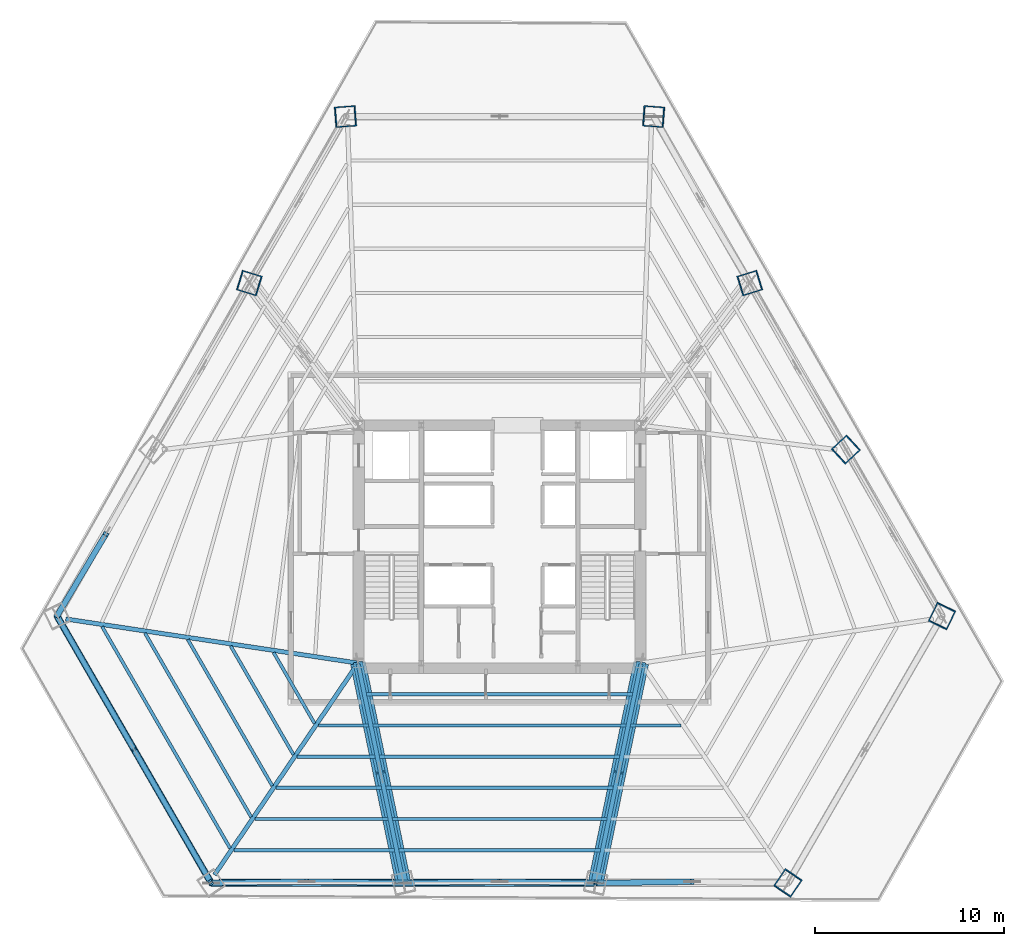
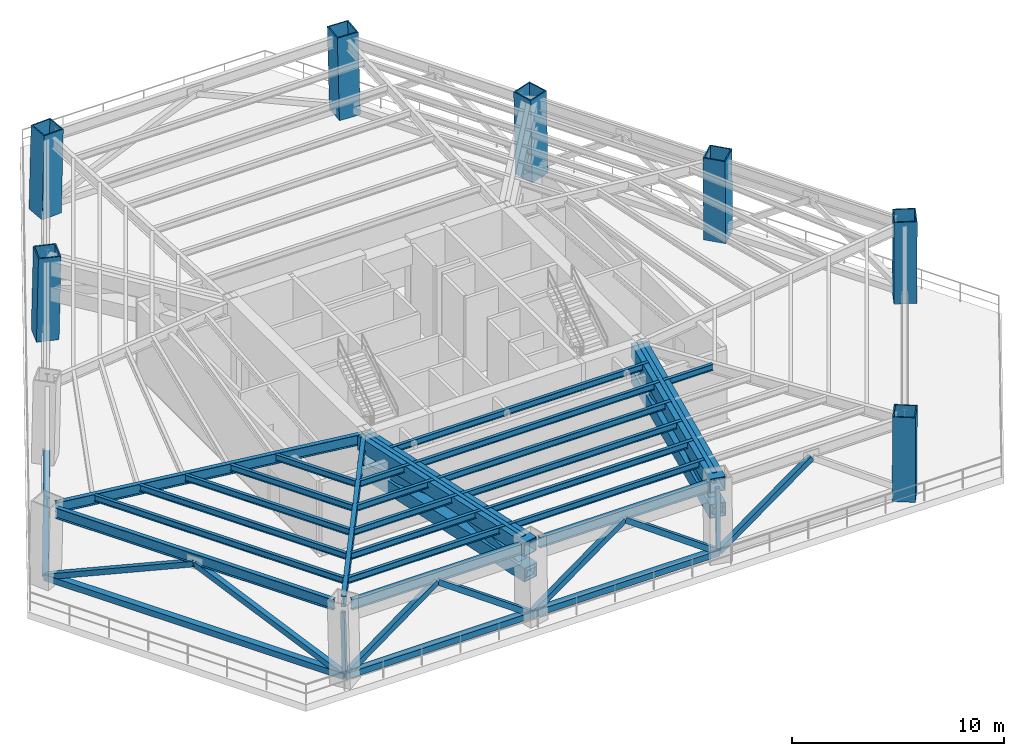
# One storey, part 3 of 13: 24 beams, 21 members, 7 columns.
"""IFC4 building model written with IfcOpenShell, lengths in metres."""

from ifc_helpers import new_model, si_unit, direction, frame, origin, origin_2d, place, context, subcontext, project, spatial, hollow_rectangle, i_section, extrude, source, transform, mapped, material, material_profile, profile_set, type_object, type_shapes, element, save


model = new_model("IFC4")

# Units and contexts
model_context = context("Model", 3, precision=1e-05, world=origin(), true_north=direction((0.0, 1.0)))
body_context = subcontext(model_context, "Body", "Model", "MODEL_VIEW")
ifc_project = project(units=[si_unit("LENGTHUNIT", "METRE"), si_unit("AREAUNIT", "SQUARE_METRE"), si_unit("VOLUMEUNIT", "CUBIC_METRE"), si_unit("PLANEANGLEUNIT", "RADIAN"), si_unit("MASSUNIT", "GRAM", prefix="KILO")], contexts=[model_context])

# Site, building, storey
site_placement = place(None, origin())
site = spatial("IfcSite", under=ifc_project, at=site_placement, CompositionType="ELEMENT")
building_placement = place(site_placement, origin())
building = spatial("IfcBuilding", under=site, at=building_placement, Name="Caelisora Broadcast Tower", CompositionType="ELEMENT")
storey_placement = place(building_placement, frame((0.0, 0.0, 75.050048828125)))
storey = spatial("IfcBuildingStorey", under=building, at=storey_placement, Name="L19", CompositionType="ELEMENT", Elevation=75.050048828125)

# Columns
ifc_material_1 = material(Name="Steel Grade 350 L15 (AS/NZS 3678)", Category="steel")
ifc_material_profile_1 = material_profile(ifc_material_1, hollow_rectangle(XDim=1.10009765625, YDim=1.10009765625, WallThickness=0.06005859375, at=origin_2d()), Name="Steel Grade 350 L15 (AS/NZS 3678)")
ifc_profile_set_1 = profile_set([ifc_material_profile_1], Name="Steel Grade 350 L15 (AS/NZS 3678)")
column_type = type_object("IfcColumnType", Name="MC03", PredefinedType="COLUMN", material=ifc_profile_set_1)
shared_shape_1 = source(origin(), body_context, "Body", "SweptSolid", [
    extrude(hollow_rectangle(XDim=1.10009765625, YDim=1.10009765625, WallThickness=0.06005859375, at=origin_2d()), origin(), (0.0, 0.0, 1.0), 4.801513671875),
])
for number, where, z_axis, x_axis, name in (
    (1, (46.177978515625, 46.35546875, 0.0), (-0.023847509135, 0.001779664861, 0.999714023659), (-0.074419924822, -0.99722699261, 0.0), "L19 column MC03"),
    (2, (29.822021484375, 46.35546875, 0.0), (0.023847509135, 0.001779664861, 0.999714023659), (-0.074419924822, 0.99722699261, 0.0), "L19 column MC03"),
    (3, (53.271484375, 5.739990234375, 0.0), (0.013474599104, 0.019779694533, 0.999713558407), (-0.826452018452, 0.563007159099, 0.0), "L19 column MC03"),
    (4, (61.449462890625, 19.904541015625, 0.0), (-0.01042374304, -0.021559351459, 0.999713228854), (0.900293483537, -0.435283405956, 0.0), "L19 column MC03"),
):
    element("IfcColumn", number, at=place(storey_placement, frame(where, z_axis=z_axis, x_axis=x_axis)), inside=storey, type_object=column_type, Name=name, PredefinedType="COLUMN", context=body_context, shape_type="MappedRepresentation", body=[
        mapped(shared_shape_1, transform((0.0, 0.0, 0.0), scale=1.0)),
    ])
shared_shape_2 = source(origin(), body_context, "Body", "SweptSolid", [
    extrude(hollow_rectangle(XDim=1.10009765625, YDim=1.10009765625, WallThickness=0.06005859375, at=origin_2d()), origin(), (0.0, 0.0, 1.0), 4.801025390625),
])
type_shapes(column_type, [shared_shape_1, shared_shape_2])
for number, where, z_axis, x_axis, name in (
    (5, (24.7314453125, 37.53857421875, 0.0), (0.019425311137, -0.00600048878, 0.999793304349), (0.295140224918, 0.955453948464, 0.0), "L19 column MC03"),
    (6, (56.35888671875, 28.7216796875, 0.0), (-0.014899529501, -0.013780793498, 0.999794025663), (0.679008224545, -0.734130663438, 0.0), "L19 column MC03"),
    (7, (51.2685546875, 37.53857421875, 0.0), (-0.019425311137, -0.00600048878, 0.999793304349), (0.295140224918, -0.955453948464, 0.0), "L19 column MC03"),
):
    element("IfcColumn", number, at=place(storey_placement, frame(where, z_axis=z_axis, x_axis=x_axis)), inside=storey, type_object=column_type, Name=name, PredefinedType="COLUMN", context=body_context, shape_type="MappedRepresentation", body=[
        mapped(shared_shape_2, transform((0.0, 0.0, 0.0), scale=1.0)),
    ])

# Beams
ifc_material_2 = material(Name="Steel Grade 350 (AS/NZS 3679.1)", Category="steel")
ifc_material_profile_2 = material_profile(ifc_material_2, i_section(OverallWidth=0.22900390625, OverallDepth=0.611572265625, WebThickness=0.011962890625, FlangeThickness=0.01953125, at=origin_2d()), Name="Steel Grade 350 (AS/NZS 3679.1)")
ifc_profile_set_2 = profile_set([ifc_material_profile_2], Name="Steel Grade 350 (AS/NZS 3679.1)")
beam_type_1 = type_object("IfcBeamType", Name="PG03", PredefinedType="BEAM", material=ifc_profile_set_2)
shared_shape_3 = source(origin(), body_context, "Body", "SweptSolid", [
    extrude(i_section(OverallWidth=0.22900390625, OverallDepth=0.611572265625, WebThickness=0.011962890625, FlangeThickness=0.01953125, at=origin_2d()), origin(), (0.0, 0.0, 1.0), 9.30419921875),
])
for number, where, z_axis, x_axis, name in (
    (8, (23.123779296875, 5.8349609375, 4.244140625), (1.0, 0.0, 0.0), (0.0, 1.0, 0.0), "L19 beam PG03"),
    (9, (33.347900390625, 5.8349609375, 4.244140625), (1.0, 0.0, 0.0), (0.0, 1.0, 0.0), "L19 beam PG03"),
):
    element("IfcBeam", number, at=place(storey_placement, frame(where, z_axis=z_axis, x_axis=x_axis)), inside=storey, type_object=beam_type_1, Name=name, PredefinedType="BEAM", context=body_context, shape_type="MappedRepresentation", body=[
        mapped(shared_shape_3, transform((0.0, 0.0, 0.0), scale=1.0)),
    ])
shared_shape_4 = source(origin(), body_context, "Body", "SweptSolid", [
    extrude(i_section(OverallWidth=0.22900390625, OverallDepth=0.611572265625, WebThickness=0.011962890625, FlangeThickness=0.01953125, at=origin_2d()), origin(), (0.0, 0.0, 1.0), 15.20654296875),
])
type_shapes(beam_type_1, [shared_shape_3, shared_shape_4])
beam_1_placement = place(storey_placement, frame((14.83056640625, 19.402587890625, 4.244140625), z_axis=(0.50000179571, -0.866024367029, 0.0), x_axis=(0.866024367029, 0.50000179571, 0.0)))
element("IfcBeam", 10, at=beam_1_placement, inside=storey, type_object=beam_type_1, Name="L19 beam PG03", PredefinedType="BEAM", context=body_context, shape_type="MappedRepresentation", body=[
    mapped(shared_shape_4, transform((0.0, 0.0, 0.0), scale=1.0)),
])
ifc_material_profile_3 = material_profile(ifc_material_2, i_section(OverallWidth=0.22802734375, OverallDepth=0.602294921875, WebThickness=0.010498046875, FlangeThickness=0.014892578125, at=origin_2d()), Name="Steel Grade 350 (AS/NZS 3679.1)")
ifc_profile_set_3 = profile_set([ifc_material_profile_3], Name="Steel Grade 350 (AS/NZS 3679.1)")
beam_type_2 = type_object("IfcBeamType", Name="PG04", PredefinedType="BEAM", material=ifc_profile_set_3)
shared_shape_5 = source(origin(), body_context, "Body", "SweptSolid", [
    extrude(i_section(OverallWidth=0.22802734375, OverallDepth=0.602294921875, WebThickness=0.010498046875, FlangeThickness=0.014892578125, at=origin_2d()), origin(), (0.0, 0.0, 1.0), 15.599609375),
])
beam_2_placement = place(storey_placement, frame((30.440673828125, 17.408935546875, 4.248779296875), z_axis=(-0.988788930466, 0.149319961785, 0.0), x_axis=(-0.149319961785, -0.988788930466, 0.0)))
element("IfcBeam", 11, at=beam_2_placement, inside=storey, type_object=beam_type_2, Name="L19 beam PG04", PredefinedType="BEAM", context=body_context, shape_type="MappedRepresentation", body=[
    mapped(shared_shape_5, transform((0.0, 0.0, 0.0), scale=1.0)),
])
shared_shape_6 = source(origin(), body_context, "Body", "SweptSolid", [
    extrude(i_section(OverallWidth=0.22802734375, OverallDepth=0.602294921875, WebThickness=0.010498046875, FlangeThickness=0.014892578125, at=origin_2d()), origin(), (0.0, 0.0, 1.0), 13.48974609375),
])
beam_3_placement = place(storey_placement, frame((30.46630859375, 17.350341796875, 4.248779296875), z_axis=(-0.560932578548, -0.827861487402, 0.0), x_axis=(0.827861487402, -0.560932578548, 0.0)))
element("IfcBeam", 12, at=beam_3_placement, inside=storey, type_object=beam_type_2, Name="L19 beam PG04", PredefinedType="BEAM", context=body_context, shape_type="MappedRepresentation", body=[
    mapped(shared_shape_6, transform((0.0, 0.0, 0.0), scale=1.0)),
])
shared_shape_7 = source(origin(), body_context, "Body", "SweptSolid", [
    extrude(i_section(OverallWidth=0.22802734375, OverallDepth=0.602294921875, WebThickness=0.010498046875, FlangeThickness=0.014892578125, at=origin_2d()), origin(), (0.0, 0.0, 1.0), 11.329345703125),
])
type_shapes(beam_type_2, [shared_shape_5, shared_shape_6, shared_shape_7])
for number, where, z_axis, x_axis, name in (
    (13, (30.51220703125, 17.34130859375, 4.248779296875), (0.202200124468, -0.979344224298, 0.0), (0.979344224298, 0.202200124468, 0.0), "L19 beam PG04"),
    (14, (45.48779296875, 17.34130859375, 4.248779296875), (-0.202200124468, -0.979344224298, 0.0), (0.979344224298, -0.202200124468, 0.0), "L19 beam PG04"),
):
    element("IfcBeam", number, at=place(storey_placement, frame(where, z_axis=z_axis, x_axis=x_axis)), inside=storey, type_object=beam_type_2, Name=name, PredefinedType="BEAM", context=body_context, shape_type="MappedRepresentation", body=[
        mapped(shared_shape_7, transform((0.0, 0.0, 0.0), scale=1.0)),
    ])
ifc_material_profile_4 = material_profile(ifc_material_2, i_section(OverallWidth=0.172119140625, OverallDepth=0.358642578125, WebThickness=0.008056640625, FlangeThickness=0.012939453125, at=origin_2d()), Name="Steel Grade 350 (AS/NZS 3679.1)")
ifc_profile_set_4 = profile_set([ifc_material_profile_4], Name="Steel Grade 350 (AS/NZS 3679.1)")
beam_type_3 = type_object("IfcBeamType", Name="SB02", PredefinedType="JOIST", material=ifc_profile_set_4)
shared_shape_8 = source(origin(), body_context, "Body", "SweptSolid", [
    extrude(i_section(OverallWidth=0.172119140625, OverallDepth=0.358642578125, WebThickness=0.008056640625, FlangeThickness=0.012939453125, at=origin_2d()), origin(), (0.0, 0.0, 1.0), 4.341064453125),
])
beam_4_placement = place(storey_placement, frame((26.02880859375, 17.96240234375, 4.37060546875), z_axis=(0.499973983331, -0.866040423994, 0.0), x_axis=(0.866040423994, 0.499973983331, 0.0)))
element("IfcBeam", 15, at=beam_4_placement, inside=storey, type_object=beam_type_3, Name="L19 beam SB02", PredefinedType="JOIST", context=body_context, shape_type="MappedRepresentation", body=[
    mapped(shared_shape_8, transform((0.0, 0.0, 0.0), scale=1.0)),
])
shared_shape_9 = source(origin(), body_context, "Body", "SweptSolid", [
    extrude(i_section(OverallWidth=0.172119140625, OverallDepth=0.358642578125, WebThickness=0.008056640625, FlangeThickness=0.012939453125, at=origin_2d()), origin(), (0.0, 0.0, 1.0), 6.64501953125),
])
beam_5_placement = place(storey_placement, frame((23.75732421875, 18.305419921875, 4.37060546875), z_axis=(0.500007627538, -0.866020999978, 0.0), x_axis=(0.866020999978, 0.500007627538, 0.0)))
element("IfcBeam", 16, at=beam_5_placement, inside=storey, type_object=beam_type_3, Name="L19 beam SB02", PredefinedType="JOIST", context=body_context, shape_type="MappedRepresentation", body=[
    mapped(shared_shape_9, transform((0.0, 0.0, 0.0), scale=1.0)),
])
shared_shape_10 = source(origin(), body_context, "Body", "SweptSolid", [
    extrude(i_section(OverallWidth=0.172119140625, OverallDepth=0.358642578125, WebThickness=0.008056640625, FlangeThickness=0.012939453125, at=origin_2d()), origin(), (0.0, 0.0, 1.0), 8.948974609375),
])
beam_6_placement = place(storey_placement, frame((21.486083984375, 18.6484375, 4.37060546875), z_axis=(0.499991673361, -0.866030211118, 0.0), x_axis=(0.866030211118, 0.499991673361, 0.0)))
element("IfcBeam", 17, at=beam_6_placement, inside=storey, type_object=beam_type_3, Name="L19 beam SB02", PredefinedType="JOIST", context=body_context, shape_type="MappedRepresentation", body=[
    mapped(shared_shape_10, transform((0.0, 0.0, 0.0), scale=1.0)),
])
shared_shape_11 = source(origin(), body_context, "Body", "SweptSolid", [
    extrude(i_section(OverallWidth=0.172119140625, OverallDepth=0.358642578125, WebThickness=0.008056640625, FlangeThickness=0.012939453125, at=origin_2d()), origin(), (0.0, 0.0, 1.0), 11.252685546875),
])
beam_7_placement = place(storey_placement, frame((19.214599609375, 18.991455078125, 4.37060546875), z_axis=(0.499991646705, -0.866030226508, 0.0), x_axis=(0.866030226508, 0.499991646705, 0.0)))
element("IfcBeam", 18, at=beam_7_placement, inside=storey, type_object=beam_type_3, Name="L19 beam SB02", PredefinedType="JOIST", context=body_context, shape_type="MappedRepresentation", body=[
    mapped(shared_shape_11, transform((0.0, 0.0, 0.0), scale=1.0)),
])
shared_shape_12 = source(origin(), body_context, "Body", "SweptSolid", [
    extrude(i_section(OverallWidth=0.172119140625, OverallDepth=0.358642578125, WebThickness=0.008056640625, FlangeThickness=0.012939453125, at=origin_2d()), origin(), (0.0, 0.0, 1.0), 13.556396484375),
])
beam_8_placement = place(storey_placement, frame((16.943359375, 19.33447265625, 4.37060546875), z_axis=(0.499991629109, -0.866030236667, 0.0), x_axis=(0.866030236667, 0.499991629109, 0.0)))
element("IfcBeam", 19, at=beam_8_placement, inside=storey, type_object=beam_type_3, Name="L19 beam SB02", PredefinedType="JOIST", context=body_context, shape_type="MappedRepresentation", body=[
    mapped(shared_shape_12, transform((0.0, 0.0, 0.0), scale=1.0)),
])
shared_shape_13 = source(origin(), body_context, "Body", "SweptSolid", [
    extrude(i_section(OverallWidth=0.172119140625, OverallDepth=0.358642578125, WebThickness=0.008056640625, FlangeThickness=0.012939453125, at=origin_2d()), origin(), (0.0, 0.0, 1.0), 2.673095703125),
])
for number, where, z_axis, x_axis, name in (
    (20, (28.395751953125, 14.095703125, 4.37060546875), (1.0, 0.0, 0.0), (0.0, 1.0, 0.0), "L19 beam SB02"),
    (21, (44.93115234375, 14.095703125, 4.37060546875), (1.0, 0.0, 0.0), (0.0, 1.0, 0.0), "L19 beam SB02"),
):
    element("IfcBeam", number, at=place(storey_placement, frame(where, z_axis=z_axis, x_axis=x_axis)), inside=storey, type_object=beam_type_3, Name=name, PredefinedType="JOIST", context=body_context, shape_type="MappedRepresentation", body=[
        mapped(shared_shape_13, transform((0.0, 0.0, 0.0), scale=1.0)),
    ])
shared_shape_14 = source(origin(), body_context, "Body", "SweptSolid", [
    extrude(i_section(OverallWidth=0.172119140625, OverallDepth=0.358642578125, WebThickness=0.008056640625, FlangeThickness=0.012939453125, at=origin_2d()), origin(), (0.0, 0.0, 1.0), 4.133544921875),
])
beam_9_placement = place(storey_placement, frame((27.2763671875, 12.443603515625, 4.37060546875), z_axis=(1.0, 0.0, 0.0), x_axis=(0.0, 1.0, 0.0)))
element("IfcBeam", 22, at=beam_9_placement, inside=storey, type_object=beam_type_3, Name="L19 beam SB02", PredefinedType="JOIST", context=body_context, shape_type="MappedRepresentation", body=[
    mapped(shared_shape_14, transform((0.0, 0.0, 0.0), scale=1.0)),
])
shared_shape_15 = source(origin(), body_context, "Body", "SweptSolid", [
    extrude(i_section(OverallWidth=0.172119140625, OverallDepth=0.358642578125, WebThickness=0.008056640625, FlangeThickness=0.012939453125, at=origin_2d()), origin(), (0.0, 0.0, 1.0), 5.59423828125),
])
beam_10_placement = place(storey_placement, frame((26.156982421875, 10.79150390625, 4.37060546875), z_axis=(1.0, 0.0, 0.0), x_axis=(0.0, 1.0, 0.0)))
element("IfcBeam", 23, at=beam_10_placement, inside=storey, type_object=beam_type_3, Name="L19 beam SB02", PredefinedType="JOIST", context=body_context, shape_type="MappedRepresentation", body=[
    mapped(shared_shape_15, transform((0.0, 0.0, 0.0), scale=1.0)),
])
shared_shape_16 = source(origin(), body_context, "Body", "SweptSolid", [
    extrude(i_section(OverallWidth=0.172119140625, OverallDepth=0.358642578125, WebThickness=0.008056640625, FlangeThickness=0.012939453125, at=origin_2d()), origin(), (0.0, 0.0, 1.0), 7.0546875),
])
beam_11_placement = place(storey_placement, frame((25.03759765625, 9.13916015625, 4.37060546875), z_axis=(1.0, 0.0, 0.0), x_axis=(0.0, 1.0, 0.0)))
element("IfcBeam", 24, at=beam_11_placement, inside=storey, type_object=beam_type_3, Name="L19 beam SB02", PredefinedType="JOIST", context=body_context, shape_type="MappedRepresentation", body=[
    mapped(shared_shape_16, transform((0.0, 0.0, 0.0), scale=1.0)),
])
shared_shape_17 = source(origin(), body_context, "Body", "SweptSolid", [
    extrude(i_section(OverallWidth=0.172119140625, OverallDepth=0.358642578125, WebThickness=0.008056640625, FlangeThickness=0.012939453125, at=origin_2d()), origin(), (0.0, 0.0, 1.0), 8.515625),
])
beam_12_placement = place(storey_placement, frame((23.91796875, 7.487060546875, 4.37060546875), z_axis=(1.0, 0.0, 0.0), x_axis=(0.0, 1.0, 0.0)))
element("IfcBeam", 25, at=beam_12_placement, inside=storey, type_object=beam_type_3, Name="L19 beam SB02", PredefinedType="JOIST", context=body_context, shape_type="MappedRepresentation", body=[
    mapped(shared_shape_17, transform((0.0, 0.0, 0.0), scale=1.0)),
])
shared_shape_18 = source(origin(), body_context, "Body", "SweptSolid", [
    extrude(i_section(OverallWidth=0.172119140625, OverallDepth=0.358642578125, WebThickness=0.008056640625, FlangeThickness=0.012939453125, at=origin_2d()), origin(), (0.0, 0.0, 1.0), 14.0908203125),
])
beam_13_placement = place(storey_placement, frame((30.95458984375, 15.747802734375, 4.37060546875), z_axis=(1.0, 0.0, 0.0), x_axis=(0.0, 1.0, 0.0)))
element("IfcBeam", 26, at=beam_13_placement, inside=storey, type_object=beam_type_3, Name="L19 beam SB02", PredefinedType="JOIST", context=body_context, shape_type="MappedRepresentation", body=[
    mapped(shared_shape_18, transform((0.0, 0.0, 0.0), scale=1.0)),
])
shared_shape_19 = source(origin(), body_context, "Body", "SweptSolid", [
    extrude(i_section(OverallWidth=0.172119140625, OverallDepth=0.358642578125, WebThickness=0.008056640625, FlangeThickness=0.012939453125, at=origin_2d()), origin(), (0.0, 0.0, 1.0), 13.40869140625),
])
beam_14_placement = place(storey_placement, frame((31.295654296875, 14.095703125, 4.37060546875), z_axis=(1.0, 0.0, 0.0), x_axis=(0.0, 1.0, 0.0)))
element("IfcBeam", 27, at=beam_14_placement, inside=storey, type_object=beam_type_3, Name="L19 beam SB02", PredefinedType="JOIST", context=body_context, shape_type="MappedRepresentation", body=[
    mapped(shared_shape_19, transform((0.0, 0.0, 0.0), scale=1.0)),
])
shared_shape_20 = source(origin(), body_context, "Body", "SweptSolid", [
    extrude(i_section(OverallWidth=0.172119140625, OverallDepth=0.358642578125, WebThickness=0.008056640625, FlangeThickness=0.012939453125, at=origin_2d()), origin(), (0.0, 0.0, 1.0), 12.7265625),
])
beam_15_placement = place(storey_placement, frame((31.63671875, 12.443603515625, 4.37060546875), z_axis=(1.0, 0.0, 0.0), x_axis=(0.0, 1.0, 0.0)))
element("IfcBeam", 28, at=beam_15_placement, inside=storey, type_object=beam_type_3, Name="L19 beam SB02", PredefinedType="JOIST", context=body_context, shape_type="MappedRepresentation", body=[
    mapped(shared_shape_20, transform((0.0, 0.0, 0.0), scale=1.0)),
])
shared_shape_21 = source(origin(), body_context, "Body", "SweptSolid", [
    extrude(i_section(OverallWidth=0.172119140625, OverallDepth=0.358642578125, WebThickness=0.008056640625, FlangeThickness=0.012939453125, at=origin_2d()), origin(), (0.0, 0.0, 1.0), 12.0439453125),
])
beam_16_placement = place(storey_placement, frame((31.97802734375, 10.79150390625, 4.37060546875), z_axis=(1.0, 0.0, 0.0), x_axis=(0.0, 1.0, 0.0)))
element("IfcBeam", 29, at=beam_16_placement, inside=storey, type_object=beam_type_3, Name="L19 beam SB02", PredefinedType="JOIST", context=body_context, shape_type="MappedRepresentation", body=[
    mapped(shared_shape_21, transform((0.0, 0.0, 0.0), scale=1.0)),
])
shared_shape_22 = source(origin(), body_context, "Body", "SweptSolid", [
    extrude(i_section(OverallWidth=0.172119140625, OverallDepth=0.358642578125, WebThickness=0.008056640625, FlangeThickness=0.012939453125, at=origin_2d()), origin(), (0.0, 0.0, 1.0), 11.36181640625),
])
beam_17_placement = place(storey_placement, frame((32.319091796875, 9.13916015625, 4.37060546875), z_axis=(1.0, 0.0, 0.0), x_axis=(0.0, 1.0, 0.0)))
element("IfcBeam", 30, at=beam_17_placement, inside=storey, type_object=beam_type_3, Name="L19 beam SB02", PredefinedType="JOIST", context=body_context, shape_type="MappedRepresentation", body=[
    mapped(shared_shape_22, transform((0.0, 0.0, 0.0), scale=1.0)),
])
shared_shape_23 = source(origin(), body_context, "Body", "SweptSolid", [
    extrude(i_section(OverallWidth=0.172119140625, OverallDepth=0.358642578125, WebThickness=0.008056640625, FlangeThickness=0.012939453125, at=origin_2d()), origin(), (0.0, 0.0, 1.0), 10.67919921875),
])
type_shapes(beam_type_3, [shared_shape_8, shared_shape_9, shared_shape_10, shared_shape_11, shared_shape_12, shared_shape_13, shared_shape_14, shared_shape_15, shared_shape_16, shared_shape_17, shared_shape_18, shared_shape_19, shared_shape_20, shared_shape_21, shared_shape_22, shared_shape_23])
beam_18_placement = place(storey_placement, frame((32.660400390625, 7.487060546875, 4.37060546875), z_axis=(1.0, 0.0, 0.0), x_axis=(0.0, 1.0, 0.0)))
element("IfcBeam", 31, at=beam_18_placement, inside=storey, type_object=beam_type_3, Name="L19 beam SB02", PredefinedType="JOIST", context=body_context, shape_type="MappedRepresentation", body=[
    mapped(shared_shape_23, transform((0.0, 0.0, 0.0), scale=1.0)),
])

# Members
ifc_material_profile_5 = material_profile(ifc_material_1, hollow_rectangle(XDim=0.800048828125, YDim=0.800048828125, WallThickness=0.044921875, at=origin_2d()), Name="Steel Grade 350 L15 (AS/NZS 3678)")
ifc_profile_set_5 = profile_set([ifc_material_profile_5], Name="Steel Grade 350 L15 (AS/NZS 3678)")
member_type_1 = type_object("IfcMemberType", Name="OR01", PredefinedType="CHORD", material=ifc_profile_set_5)
shared_shape_24 = source(origin(), body_context, "Body", "SweptSolid", [
    extrude(hollow_rectangle(XDim=0.800048828125, YDim=0.800048828125, WallThickness=0.044921875, at=origin_2d()), origin(), (0.0, 0.0, 1.0), 11.85205078125),
])
for number, where, z_axis, x_axis, name in (
    (32, (30.5, 17.39990234375, 2.679931640625), (0.202284085968, -0.979326885449, 0.0), (0.979326885449, 0.202284085968, 0.0), "L19 outrigger chord OR01"),
    (33, (45.5, 17.39990234375, 2.679931640625), (-0.202284085968, -0.979326885449, 0.0), (0.979326885449, -0.202284085968, 0.0), "L19 outrigger chord OR01"),
):
    element("IfcMember", number, at=place(storey_placement, frame(where, z_axis=z_axis, x_axis=x_axis)), inside=storey, type_object=member_type_1, Name=name, PredefinedType="CHORD", context=body_context, shape_type="MappedRepresentation", body=[
        mapped(shared_shape_24, transform((0.0, 0.0, 0.0), scale=1.0)),
    ])
shared_shape_25 = source(origin(), body_context, "Body", "SweptSolid", [
    extrude(hollow_rectangle(XDim=0.800048828125, YDim=0.800048828125, WallThickness=0.044921875, at=origin_2d()), origin(), (0.0, 0.0, 1.0), 11.822509765625),
])
type_shapes(member_type_1, [shared_shape_24, shared_shape_25])
for number, where, z_axis, x_axis, name in (
    (34, (30.5, 17.39990234375, 4.1298828125), (0.202251870009, -0.979333539239, 0.0), (0.979333539239, 0.202251870009, 0.0), "L19 outrigger chord OR01"),
    (35, (45.5, 17.39990234375, 4.1298828125), (-0.202251870009, -0.979333539239, 0.0), (0.979333539239, -0.202251870009, 0.0), "L19 outrigger chord OR01"),
):
    element("IfcMember", number, at=place(storey_placement, frame(where, z_axis=z_axis, x_axis=x_axis)), inside=storey, type_object=member_type_1, Name=name, PredefinedType="CHORD", context=body_context, shape_type="MappedRepresentation", body=[
        mapped(shared_shape_25, transform((0.0, 0.0, 0.0), scale=1.0)),
    ])
ifc_material_3 = material(Name="Steel Grade 450 L15 (AS/NZS 3678)", Category="steel")
ifc_material_profile_6 = material_profile(ifc_material_3, hollow_rectangle(XDim=0.5, YDim=0.5, WallThickness=0.02001953125, at=origin_2d()), Name="Steel Grade 450 L15 (AS/NZS 3678)")
ifc_profile_set_6 = profile_set([ifc_material_profile_6], Name="Steel Grade 450 L15 (AS/NZS 3678)")
member_type_2 = type_object("IfcMemberType", Name="OR02", PredefinedType="STRUT", material=ifc_profile_set_6)
shared_shape_26 = source(origin(), body_context, "Body", "SweptSolid", [
    extrude(hollow_rectangle(XDim=0.5, YDim=0.5, WallThickness=0.02001953125, at=origin_2d()), origin(), (0.0, 0.0, 1.0), 6.08642578125),
])
for number, where, z_axis, x_axis, name in (
    (36, (30.5, 17.39990234375, 2.679931640625), (0.19642899675, -0.951138323656, 0.238225814111), (0.979333539239, 0.202251870009, 0.0), "L19 outrigger diagonal OR02"),
    (37, (45.5, 17.39990234375, 2.679931640625), (-0.19642899675, -0.951138323656, 0.238225814111), (0.979333539239, -0.202251870009, 0.0), "L19 outrigger diagonal OR02"),
):
    element("IfcMember", number, at=place(storey_placement, frame(where, z_axis=z_axis, x_axis=x_axis)), inside=storey, type_object=member_type_2, Name=name, PredefinedType="STRUT", context=body_context, shape_type="MappedRepresentation", body=[
        mapped(shared_shape_26, transform((0.0, 0.0, 0.0), scale=1.0)),
    ])
shared_shape_27 = source(origin(), body_context, "Body", "SweptSolid", [
    extrude(hollow_rectangle(XDim=0.5, YDim=0.5, WallThickness=0.02001953125, at=origin_2d()), origin(), (0.0, 0.0, 1.0), 6.114990234375),
])
type_shapes(member_type_2, [shared_shape_26, shared_shape_27])
for number, where, z_axis, x_axis, name in (
    (38, (31.695556640625, 11.61083984375, 4.1298828125), (0.196546672161, -0.951392890027, -0.237109625425), (0.979320263646, 0.202316141751, 0.0), "L19 outrigger diagonal OR02"),
    (39, (44.304443359375, 11.61083984375, 4.1298828125), (-0.196546672161, -0.951392890027, -0.237109625425), (0.979320263646, -0.202316141751, 0.0), "L19 outrigger diagonal OR02"),
):
    element("IfcMember", number, at=place(storey_placement, frame(where, z_axis=z_axis, x_axis=x_axis)), inside=storey, type_object=member_type_2, Name=name, PredefinedType="STRUT", context=body_context, shape_type="MappedRepresentation", body=[
        mapped(shared_shape_27, transform((0.0, 0.0, 0.0), scale=1.0)),
    ])
ifc_material_4 = material(Name="Steel Grade 350 (AS/NZS 1163 C350L0)", Category="steel")
ifc_material_profile_7 = material_profile(ifc_material_4, hollow_rectangle(XDim=0.35009765625, YDim=0.35009765625, WallThickness=0.01611328125, at=origin_2d()), Name="Steel Grade 350 (AS/NZS 1163 C350L0)")
ifc_profile_set_7 = profile_set([ifc_material_profile_7], Name="Steel Grade 350 (AS/NZS 1163 C350L0)")
member_type_3 = type_object("IfcMemberType", Name="OR05", PredefinedType="CHORD", material=ifc_profile_set_7)
shared_shape_28 = source(origin(), body_context, "Body", "SweptSolid", [
    extrude(hollow_rectangle(XDim=0.35009765625, YDim=0.35009765625, WallThickness=0.01611328125, at=origin_2d()), origin(), (0.0, 0.0, 1.0), 16.33935546875),
])
member_1_placement = place(storey_placement, frame((14.55419921875, 19.897216796875, 0.349853515625), z_axis=(0.499997516645, -0.866026837545, 0.0), x_axis=(0.866026837545, 0.499997516645, 0.0)))
element("IfcMember", 40, at=member_1_placement, inside=storey, type_object=member_type_3, Name="L19 belt chord OR05", PredefinedType="CHORD", context=body_context, shape_type="MappedRepresentation", body=[
    mapped(shared_shape_28, transform((0.0, 0.0, 0.0), scale=1.0)),
])
ifc_material_profile_8 = material_profile(ifc_material_4, hollow_rectangle(XDim=0.300048828125, YDim=0.300048828125, WallThickness=0.012451171875, at=origin_2d()), Name="Steel Grade 350 (AS/NZS 1163 C350L0)")
ifc_profile_set_8 = profile_set([ifc_material_profile_8], Name="Steel Grade 350 (AS/NZS 1163 C350L0)")
member_type_4 = type_object("IfcMemberType", Name="OR06", PredefinedType="STRUT", material=ifc_profile_set_8)
shared_shape_29 = source(origin(), body_context, "Body", "SweptSolid", [
    extrude(hollow_rectangle(XDim=0.300048828125, YDim=0.300048828125, WallThickness=0.012451171875, at=origin_2d()), origin(), (0.0, 0.0, 1.0), 6.2216796875),
])
for number, where, z_axis, x_axis, name in (
    (41, (14.55419921875, 19.897216796875, 0.349853515625), (0.416583193499, 0.698491036575, 0.581866578108), (-0.858852276054, 0.512223357449, 0.0), "L19 belt diagonal OR06"),
    (42, (22.723876953125, 5.746826171875, 0.349853515625), (0.813212416631, 0.011536597688, 0.581852620817), (-0.014185023158, 0.999899387498, 0.0), "L19 belt diagonal OR06"),
):
    element("IfcMember", number, at=place(storey_placement, frame(where, z_axis=z_axis, x_axis=x_axis)), inside=storey, type_object=member_type_4, Name=name, PredefinedType="STRUT", context=body_context, shape_type="MappedRepresentation", body=[
        mapped(shared_shape_29, transform((0.0, 0.0, 0.0), scale=1.0)),
    ])
shared_shape_30 = source(origin(), body_context, "Body", "SweptSolid", [
    extrude(hollow_rectangle(XDim=0.300048828125, YDim=0.300048828125, WallThickness=0.012451171875, at=origin_2d()), origin(), (0.0, 0.0, 1.0), 6.274658203125),
])
for number, where, z_axis, x_axis, name in (
    (43, (32.907958984375, 5.746826171875, 0.349853515625), (-0.816703004069, 0.011439289338, 0.576944837748), (-0.014005296083, -0.999901921031, 0.0), "L19 belt diagonal OR06"),
    (44, (43.092041015625, 5.746826171875, 0.349853515625), (0.816703004069, 0.011439289338, 0.576944837748), (-0.014005296083, 0.999901921031, 0.0), "L19 belt diagonal OR06"),
):
    element("IfcMember", number, at=place(storey_placement, frame(where, z_axis=z_axis, x_axis=x_axis)), inside=storey, type_object=member_type_4, Name=name, PredefinedType="STRUT", context=body_context, shape_type="MappedRepresentation", body=[
        mapped(shared_shape_30, transform((0.0, 0.0, 0.0), scale=1.0)),
    ])
shared_shape_31 = source(origin(), body_context, "Body", "SweptSolid", [
    extrude(hollow_rectangle(XDim=0.35009765625, YDim=0.35009765625, WallThickness=0.01611328125, at=origin_2d()), origin(), (0.0, 0.0, 1.0), 10.18408203125),
])
type_shapes(member_type_3, [shared_shape_28, shared_shape_31])
for number, where, z_axis, x_axis, name in (
    (45, (22.723876953125, 5.746826171875, 0.349853515625), (1.0, 0.0, 0.0), (0.0, 1.0, 0.0), "L19 belt chord OR05"),
    (46, (32.907958984375, 5.746826171875, 0.349853515625), (1.0, 0.0, 0.0), (0.0, 1.0, 0.0), "L19 belt chord OR05"),
):
    element("IfcMember", number, at=place(storey_placement, frame(where, z_axis=z_axis, x_axis=x_axis)), inside=storey, type_object=member_type_3, Name=name, PredefinedType="CHORD", context=body_context, shape_type="MappedRepresentation", body=[
        mapped(shared_shape_31, transform((0.0, 0.0, 0.0), scale=1.0)),
    ])
shared_shape_32 = source(origin(), body_context, "Body", "SweptSolid", [
    extrude(hollow_rectangle(XDim=0.300048828125, YDim=0.300048828125, WallThickness=0.012451171875, at=origin_2d()), origin(), (0.0, 0.0, 1.0), 6.248046875),
])
for number, where, z_axis, x_axis, name in (
    (47, (32.907958984375, 5.746826171875, 0.349853515625), (0.81496879791, 0.011487789547, 0.579390963965), (-0.014094586753, 0.999900666379, 0.0), "L19 belt diagonal OR06"),
    (48, (43.092041015625, 5.746826171875, 0.349853515625), (-0.81496879791, 0.011487789547, 0.579390963965), (-0.014094586753, -0.999900666379, 0.0), "L19 belt diagonal OR06"),
):
    element("IfcMember", number, at=place(storey_placement, frame(where, z_axis=z_axis, x_axis=x_axis)), inside=storey, type_object=member_type_4, Name=name, PredefinedType="STRUT", context=body_context, shape_type="MappedRepresentation", body=[
        mapped(shared_shape_32, transform((0.0, 0.0, 0.0), scale=1.0)),
    ])
shared_shape_33 = source(origin(), body_context, "Body", "SweptSolid", [
    extrude(hollow_rectangle(XDim=0.300048828125, YDim=0.300048828125, WallThickness=0.012451171875, at=origin_2d()), origin(), (0.0, 0.0, 1.0), 8.93603515625),
])
member_2_placement = place(storey_placement, frame((14.55419921875, 19.897216796875, 0.349853515625), z_axis=(0.456504104312, -0.792140762489, 0.405113583023), x_axis=(0.866422295995, 0.499311931565, 0.0)))
element("IfcMember", 49, at=member_2_placement, inside=storey, type_object=member_type_4, Name="L19 belt diagonal OR06", PredefinedType="STRUT", context=body_context, shape_type="MappedRepresentation", body=[
    mapped(shared_shape_33, transform((0.0, 0.0, 0.0), scale=1.0)),
])
shared_shape_34 = source(origin(), body_context, "Body", "SweptSolid", [
    extrude(hollow_rectangle(XDim=0.300048828125, YDim=0.300048828125, WallThickness=0.012451171875, at=origin_2d()), origin(), (0.0, 0.0, 1.0), 8.935546875),
])
type_shapes(member_type_4, [shared_shape_29, shared_shape_30, shared_shape_32, shared_shape_33, shared_shape_34])
member_3_placement = place(storey_placement, frame((22.723876953125, 5.746826171875, 0.349853515625), z_axis=(-0.457753539053, 0.791410350496, 0.405131280714), x_axis=(-0.865630815893, -0.500682824327, 0.0)))
element("IfcMember", 50, at=member_3_placement, inside=storey, type_object=member_type_4, Name="L19 belt diagonal OR06", PredefinedType="STRUT", context=body_context, shape_type="MappedRepresentation", body=[
    mapped(shared_shape_34, transform((0.0, 0.0, 0.0), scale=1.0)),
])
ifc_material_profile_9 = material_profile(ifc_material_4, hollow_rectangle(XDim=0.199951171875, YDim=0.199951171875, WallThickness=0.009033203125, at=origin_2d()), Name="Steel Grade 350 (AS/NZS 1163 C350L0)")
ifc_profile_set_9 = profile_set([ifc_material_profile_9], Name="Steel Grade 350 (AS/NZS 1163 C350L0)")
member_type_5 = type_object("IfcMemberType", Name="TR14", PredefinedType="POST", material=ifc_profile_set_9)
shared_shape_35 = source(origin(), body_context, "Body", "SweptSolid", [
    extrude(hollow_rectangle(XDim=0.199951171875, YDim=0.199951171875, WallThickness=0.009033203125, at=origin_2d()), origin(), (0.0, 0.0, 1.0), 3.62109375),
])
member_4_placement = place(storey_placement, frame((22.723876953125, 5.746826171875, 0.349853515625), z_axis=(-0.01348411922, 0.019821655253, 0.999712598956), x_axis=(-0.826821871942, -0.562463858464, 0.0)))
element("IfcMember", 51, at=member_4_placement, inside=storey, type_object=member_type_5, Name="L19 transfer post TR14", PredefinedType="POST", context=body_context, shape_type="MappedRepresentation", body=[
    mapped(shared_shape_35, transform((0.0, 0.0, 0.0), scale=1.0)),
])
shared_shape_36 = source(origin(), body_context, "Body", "SweptSolid", [
    extrude(hollow_rectangle(XDim=0.199951171875, YDim=0.199951171875, WallThickness=0.009033203125, at=origin_2d()), origin(), (0.0, 0.0, 1.0), 3.620849609375),
])
type_shapes(member_type_5, [shared_shape_35, shared_shape_36])
member_5_placement = place(storey_placement, frame((43.092041015625, 5.746826171875, 0.349853515625), z_axis=(0.004517544557, 0.019823255218, 0.999793293808), x_axis=(-0.975002379388, 0.222194419793, 0.0)))
element("IfcMember", 52, at=member_5_placement, inside=storey, type_object=member_type_5, Name="L19 transfer post TR14", PredefinedType="POST", context=body_context, shape_type="MappedRepresentation", body=[
    mapped(shared_shape_36, transform((0.0, 0.0, 0.0), scale=1.0)),
])

save(model, "model.ifc")
